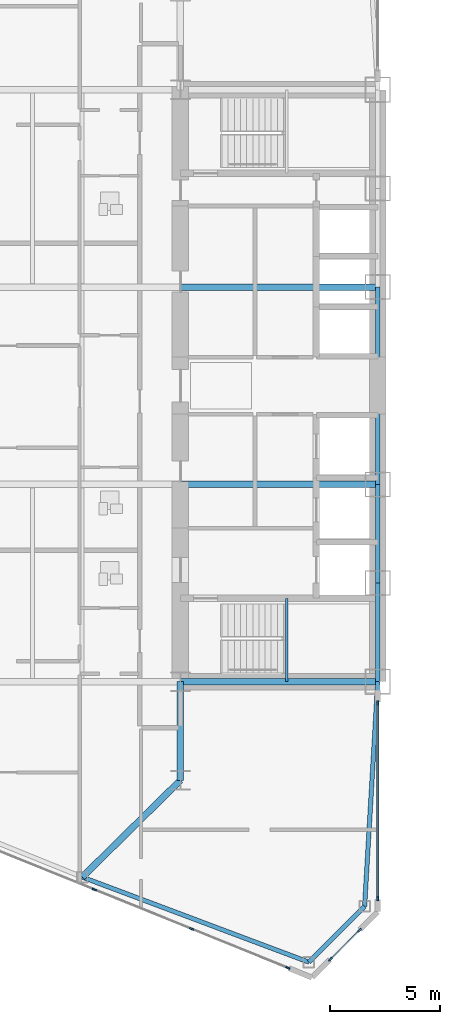
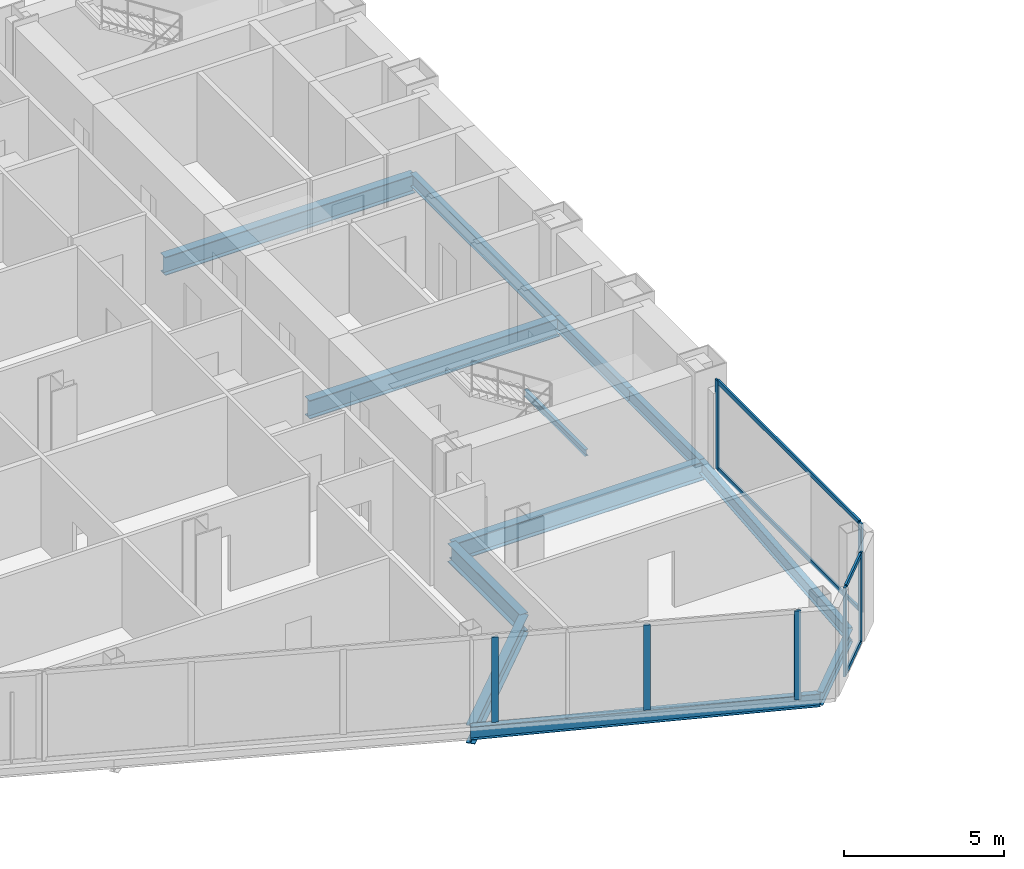
# One storey, part 5 of 25: 12 beams, 11 members, 3 elements without a shape of their own.
"""IFC4 building model written with IfcOpenShell, lengths in metres."""

from ifc_helpers import new_model, si_unit, direction, frame, origin, origin_2d, place, context, subcontext, project, spatial, rectangle, i_section, extrude, source, transform, mapped, material, layer, layer_set, material_profile, profile_set, type_object, type_shapes, element, aggregate, save


model = new_model("IFC4")

# Units and contexts
model_context = context("Model", 3, precision=1e-05, world=origin(), true_north=direction((0.0, 1.0)))
body_context = subcontext(model_context, "Body", "Model", "MODEL_VIEW")
ifc_project = project(units=[si_unit("LENGTHUNIT", "METRE"), si_unit("AREAUNIT", "SQUARE_METRE"), si_unit("VOLUMEUNIT", "CUBIC_METRE"), si_unit("PLANEANGLEUNIT", "RADIAN"), si_unit("MASSUNIT", "GRAM", prefix="KILO")], contexts=[model_context])

# Site, building, storey
site_placement = place(None, origin())
site = spatial("IfcSite", under=ifc_project, at=site_placement, CompositionType="ELEMENT")
building_placement = place(site_placement, origin())
building = spatial("IfcBuilding", under=site, at=building_placement, Name="Seokmaru Belvedere", CompositionType="ELEMENT")
storey_placement = place(building_placement, frame((0.0, 0.0, 22.5)))
storey = spatial("IfcBuildingStorey", under=building, at=storey_placement, Name="L05", CompositionType="ELEMENT", Elevation=22.5)

# Beams
ifc_material_1 = material(Name="Steel SM355 (355 MPa)", Category="steel")
ifc_material_profile_1 = material_profile(ifc_material_1, i_section(OverallWidth=0.199951171875, OverallDepth=0.5, WebThickness=0.010009765625, FlangeThickness=0.01611328125, at=origin_2d()), Name="H-500x200x10x16")
ifc_profile_set_1 = profile_set([ifc_material_profile_1], Name="Steel SM355 (355 MPa)")
beam_type_1 = type_object("IfcBeamType", Name="Perimeter Spandrel Beam H-500", PredefinedType="SPANDREL", material=ifc_profile_set_1)
shared_shape_1 = source(origin(), body_context, "Body", "SweptSolid", [
    extrude(i_section(OverallWidth=0.199951171875, OverallDepth=0.5, WebThickness=0.010009765625, FlangeThickness=0.01611328125, at=origin_2d()), origin(), (0.0, 0.0, 1.0), 4.5),
])
for number, where, z_axis, x_axis, name in (
    (1, (-27.5, -13.5, -0.469970703125), (0.0, 1.0, 0.0), (-1.0, 0.0, 0.0), "L05 W Portal Spine Spandrel 1"),
    (2, (-27.5, -9.0, -0.469970703125), (0.0, 1.0, 0.0), (-1.0, 0.0, 0.0), "L05 W Portal Spine Spandrel 2"),
):
    element("IfcBeam", number, at=place(storey_placement, frame(where, z_axis=z_axis, x_axis=x_axis)), inside=storey, type_object=beam_type_1, Name=name, PredefinedType="SPANDREL", context=body_context, shape_type="MappedRepresentation", body=[
        mapped(shared_shape_1, transform((0.0, 0.0, 0.0), scale=1.0)),
    ])
shared_shape_2 = source(origin(), body_context, "Body", "SweptSolid", [
    extrude(i_section(OverallWidth=0.199951171875, OverallDepth=0.5, WebThickness=0.010009765625, FlangeThickness=0.01611328125, at=origin_2d()), origin(), (0.0, 0.0, 1.0), 9.0),
])
beam_1_placement = place(storey_placement, frame((-27.5, -4.5, -0.469970703125), z_axis=(0.0, 1.0, 0.0), x_axis=(-1.0, 0.0, 0.0)))
element("IfcBeam", 3, at=beam_1_placement, inside=storey, type_object=beam_type_1, Name="L05 W Portal Spine Spandrel 3", PredefinedType="SPANDREL", context=body_context, shape_type="MappedRepresentation", body=[
    mapped(shared_shape_2, transform((0.0, 0.0, 0.0), scale=1.0)),
])
ifc_material_profile_2 = material_profile(ifc_material_1, i_section(OverallWidth=0.300048828125, OverallDepth=0.699951171875, WebThickness=0.012939453125, FlangeThickness=0.02392578125, at=origin_2d()), Name="H-700x300x13x24")
ifc_profile_set_2 = profile_set([ifc_material_profile_2], Name="Steel SM355 (355 MPa)")
beam_type_2 = type_object("IfcBeamType", Name="Primary Floor Girder H-700", PredefinedType="BEAM", material=ifc_profile_set_2)
shared_shape_3 = source(origin(), body_context, "Body", "SweptSolid", [
    extrude(i_section(OverallWidth=0.300048828125, OverallDepth=0.699951171875, WebThickness=0.012939453125, FlangeThickness=0.02392578125, at=origin_2d()), origin(), (0.0, 0.0, 1.0), 4.5),
])
beam_2_placement = place(storey_placement, frame((-36.5, -18.0, -0.570068359375), z_axis=(0.0, 1.0, 0.0), x_axis=(-1.0, 0.0, 0.0)))
element("IfcBeam", 4, at=beam_2_placement, inside=storey, type_object=beam_type_2, Name="L05 W Core Shoulder Girder S", PredefinedType="BEAM", context=body_context, shape_type="MappedRepresentation", body=[
    mapped(shared_shape_3, transform((0.0, 0.0, 0.0), scale=1.0)),
])
shared_shape_4 = source(origin(), body_context, "Body", "SweptSolid", [
    extrude(i_section(OverallWidth=0.300048828125, OverallDepth=0.699951171875, WebThickness=0.012939453125, FlangeThickness=0.02392578125, at=origin_2d()), origin(), (0.0, 0.0, 1.0), 9.0),
])
for number, where, z_axis, x_axis, name in (
    (5, (-36.5, -13.5, -0.570068359375), (1.0, 0.0, 0.0), (0.0, 1.0, 0.0), "L05 W Core Tie Girder 1"),
    (6, (-36.5, -4.5, -0.570068359375), (1.0, 0.0, 0.0), (0.0, 1.0, 0.0), "L05 W Core Tie Girder 2"),
    (7, (-36.5, 4.5, -0.570068359375), (1.0, 0.0, 0.0), (0.0, 1.0, 0.0), "L05 W Core Tie Girder 3"),
):
    element("IfcBeam", number, at=place(storey_placement, frame(where, z_axis=z_axis, x_axis=x_axis)), inside=storey, type_object=beam_type_2, Name=name, PredefinedType="BEAM", context=body_context, shape_type="MappedRepresentation", body=[
        mapped(shared_shape_4, transform((0.0, 0.0, 0.0), scale=1.0)),
    ])
shared_shape_5 = source(origin(), body_context, "Body", "SweptSolid", [
    extrude(i_section(OverallWidth=0.199951171875, OverallDepth=0.5, WebThickness=0.010009765625, FlangeThickness=0.01611328125, at=origin_2d()), origin(), (0.0, 0.0, 1.0), 11.03857421875),
])
beam_3_placement = place(storey_placement, frame((-30.643310546875, -26.294677734375, -0.469970703125), z_axis=(-0.936169110734, 0.351549990907, 0.0), x_axis=(-0.351549990907, -0.936169110734, 0.0)))
element("IfcBeam", 8, at=beam_3_placement, inside=storey, type_object=beam_type_1, Name="L05 W Faceted Flank Spandrel S-1", PredefinedType="SPANDREL", context=body_context, shape_type="MappedRepresentation", body=[
    mapped(shared_shape_5, transform((0.0, 0.0, 0.0), scale=1.0)),
])
shared_shape_6 = source(origin(), body_context, "Body", "SweptSolid", [
    extrude(i_section(OverallWidth=0.199951171875, OverallDepth=0.5, WebThickness=0.010009765625, FlangeThickness=0.01611328125, at=origin_2d()), origin(), (0.0, 0.0, 1.0), 3.5966796875),
])
beam_4_placement = place(storey_placement, frame((-30.643310546875, -26.294677734375, -0.469970703125), z_axis=(0.707106781187, 0.707106781187, 0.0), x_axis=(-0.707106781187, 0.707106781187, 0.0)))
element("IfcBeam", 9, at=beam_4_placement, inside=storey, type_object=beam_type_1, Name="L05 W Shoulder Chamfer Spandrel S", PredefinedType="SPANDREL", context=body_context, shape_type="MappedRepresentation", body=[
    mapped(shared_shape_6, transform((0.0, 0.0, 0.0), scale=1.0)),
])
shared_shape_7 = source(origin(), body_context, "Body", "SweptSolid", [
    extrude(i_section(OverallWidth=0.199951171875, OverallDepth=0.5, WebThickness=0.010009765625, FlangeThickness=0.01611328125, at=origin_2d()), origin(), (0.0, 0.0, 1.0), 10.26904296875),
])
type_shapes(beam_type_1, [shared_shape_1, shared_shape_2, shared_shape_5, shared_shape_6, shared_shape_7])
beam_5_placement = place(storey_placement, frame((-28.10009765625, -23.75146484375, -0.469970703125), z_axis=(0.058437709399, 0.998291056817, 0.0), x_axis=(-0.998291056817, 0.058437709399, 0.0)))
element("IfcBeam", 10, at=beam_5_placement, inside=storey, type_object=beam_type_1, Name="L05 W Shoulder Spine Spandrel S", PredefinedType="SPANDREL", context=body_context, shape_type="MappedRepresentation", body=[
    mapped(shared_shape_7, transform((0.0, 0.0, 0.0), scale=1.0)),
])
shared_shape_8 = source(origin(), body_context, "Body", "SweptSolid", [
    extrude(i_section(OverallWidth=0.300048828125, OverallDepth=0.699951171875, WebThickness=0.012939453125, FlangeThickness=0.02392578125, at=origin_2d()), origin(), (0.0, 0.0, 1.0), 6.287353515625),
])
type_shapes(beam_type_2, [shared_shape_3, shared_shape_4, shared_shape_8])
beam_6_placement = place(storey_placement, frame((-40.977294921875, -22.4140625, -0.570068359375), z_axis=(0.712117485263, 0.702060315915, 0.0), x_axis=(-0.702060315915, 0.712117485263, 0.0)))
element("IfcBeam", 11, at=beam_6_placement, inside=storey, type_object=beam_type_2, Name="L05 W Flank Radial Floor Girder S-1", PredefinedType="BEAM", context=body_context, shape_type="MappedRepresentation", body=[
    mapped(shared_shape_8, transform((0.0, 0.0, 0.0), scale=1.0)),
])

# Curtain wall, members
ifc_material_2 = material(Name="Bronze Triple Insulating Glass", Category="glass")
ifc_layer = layer(ifc_material_2, 0.2099609375)
ifc_layer_set = layer_set([ifc_layer], Name="Bronze Triple Insulating Glass")
curtain_wall_type = type_object("IfcCurtainWallType", Name="Low-Rise Faceted Crystal Curtain Wall System CW-2", PredefinedType="NOTDEFINED", material=ifc_layer_set)
curtain_wall_1_placement = place(storey_placement, origin())
curtain_wall_1 = element("IfcCurtainWall", 12, at=curtain_wall_1_placement, inside=storey, type_object=curtain_wall_type, Name="L05 Curtain Wall WSP_1", PredefinedType="NOTDEFINED")
ifc_material_3 = material(Name="Anodised Bronze Aluminium", Category="aluminium")
ifc_material_profile_3 = material_profile(ifc_material_3, rectangle(XDim=0.070068359375, YDim=0.1650390625, at=origin_2d()), Name="CW-T-70x165")
ifc_profile_set_3 = profile_set([ifc_material_profile_3], Name="Anodised Bronze Aluminium")
member_type_1 = type_object("IfcMemberType", Name="Bronze Unitised Transom 70x165", PredefinedType="USERDEFINED", material=ifc_profile_set_3)
shared_shape_9 = source(origin(), body_context, "Body", "SweptSolid", [
    extrude(rectangle(XDim=0.070068359375, YDim=0.1650390625, at=origin_2d()), origin(), (0.0, 0.0, 1.0), 8.85009765625),
])
member_1_placement = place(storey_placement, frame((-27.5, -23.35498046875, 0.034912109375), z_axis=(0.0, 1.0, 0.0), x_axis=(-1.0, 0.0, 0.0)))
member_1 = element("IfcMember", 13, at=member_1_placement, type_object=member_type_1, Name="CW:L05:WSP_1 Continuous Transom 1", ObjectType="TRANSOM", PredefinedType="USERDEFINED", context=body_context, shape_type="MappedRepresentation", body=[
    mapped(shared_shape_9, transform((0.0, 0.0, 0.0), scale=1.0)),
])
member_2_placement = place(storey_placement, frame((-27.5, -23.35498046875, 3.344970703125), z_axis=(0.0, 1.0, 0.0), x_axis=(-1.0, 0.0, 0.0)))
member_2 = element("IfcMember", 14, at=member_2_placement, type_object=member_type_1, Name="CW:L05:WSP_1 Continuous Transom 2", ObjectType="TRANSOM", PredefinedType="USERDEFINED", context=body_context, shape_type="MappedRepresentation", body=[
    mapped(shared_shape_9, transform((0.0, 0.0, 0.0), scale=1.0)),
])

curtain_wall_2_placement = place(storey_placement, origin())
curtain_wall_2 = element("IfcCurtainWall", 15, at=curtain_wall_2_placement, inside=storey, type_object=curtain_wall_type, Name="L05 Curtain Wall WF6", PredefinedType="NOTDEFINED")
shared_shape_10 = source(origin(), body_context, "Body", "SweptSolid", [
    extrude(rectangle(XDim=0.070068359375, YDim=0.1650390625, at=origin_2d()), origin(), (0.0, 0.0, 1.0), 1.792724609375),
])
type_shapes(member_type_1, [shared_shape_9, shared_shape_10])
member_3_placement = place(storey_placement, frame((-29.6337890625, -26.1337890625, 0.034912109375), z_axis=(0.707106781187, 0.707106781187, 0.0), x_axis=(-0.707106781187, 0.707106781187, 0.0)))
member_3 = element("IfcMember", 16, at=member_3_placement, type_object=member_type_1, Name="CW:L05:WF6 Continuous Transom 1", ObjectType="TRANSOM", PredefinedType="USERDEFINED", context=body_context, shape_type="MappedRepresentation", body=[
    mapped(shared_shape_10, transform((0.0, 0.0, 0.0), scale=1.0)),
])
member_4_placement = place(storey_placement, frame((-29.6337890625, -26.1337890625, 3.344970703125), z_axis=(0.707106781187, 0.707106781187, 0.0), x_axis=(-0.707106781187, 0.707106781187, 0.0)))
member_4 = element("IfcMember", 17, at=member_4_placement, type_object=member_type_1, Name="CW:L05:WF6 Continuous Transom 2", ObjectType="TRANSOM", PredefinedType="USERDEFINED", context=body_context, shape_type="MappedRepresentation", body=[
    mapped(shared_shape_10, transform((0.0, 0.0, 0.0), scale=1.0)),
])

curtain_wall_3_placement = place(storey_placement, origin())
curtain_wall_3 = element("IfcCurtainWall", 18, at=curtain_wall_3_placement, inside=storey, type_object=curtain_wall_type, Name="L05 Curtain Wall WF5", PredefinedType="NOTDEFINED")
ifc_material_profile_4 = material_profile(ifc_material_3, rectangle(XDim=0.074951171875, YDim=0.2099609375, at=origin_2d()), Name="CW-M-75x210")
ifc_profile_set_4 = profile_set([ifc_material_profile_4], Name="Anodised Bronze Aluminium")
member_type_2 = type_object("IfcMemberType", Name="Bronze Unitised Mullion 75x210", PredefinedType="MULLION", material=ifc_profile_set_4)
shared_shape_11 = source(origin(), body_context, "Body", "SweptSolid", [
    extrude(rectangle(XDim=0.074951171875, YDim=0.2099609375, at=origin_2d()), origin(), (0.0, 0.0, 1.0), 3.239990234375),
])
member_5_placement = place(storey_placement, frame((-40.425537109375, -22.982421875, 0.070068359375), z_axis=(0.0, 0.0, 1.0), x_axis=(0.375192321888, 0.926946989637, 0.0)))
member_5 = element("IfcMember", 19, at=member_5_placement, type_object=member_type_2, Name="CW:L05:WF5 Mullion 8", PredefinedType="MULLION", context=body_context, shape_type="MappedRepresentation", body=[
    mapped(shared_shape_11, transform((0.0, 0.0, 0.0), scale=1.0)),
])
member_6_placement = place(storey_placement, frame((-35.995849609375, -24.775390625, 0.070068359375), z_axis=(0.0, 0.0, 1.0), x_axis=(0.375192321888, 0.926946989637, 0.0)))
member_6 = element("IfcMember", 20, at=member_6_placement, type_object=member_type_2, Name="CW:L05:WF5 Mullion 9", PredefinedType="MULLION", context=body_context, shape_type="MappedRepresentation", body=[
    mapped(shared_shape_11, transform((0.0, 0.0, 0.0), scale=1.0)),
])

# Member
shared_shape_12 = source(origin(), body_context, "Body", "SweptSolid", [
    extrude(rectangle(XDim=0.074951171875, YDim=0.2099609375, at=origin_2d()), origin(), (0.0, 0.0, 1.0), 3.3798828125),
])
type_shapes(member_type_2, [shared_shape_11, shared_shape_12])
member_7_placement = place(storey_placement, frame((-27.5, -23.392578125, 0.0), z_axis=(0.0, 0.0, 1.0), x_axis=(-1.0, 0.0, 0.0)))
member_7 = element("IfcMember", 21, at=member_7_placement, type_object=member_type_2, Name="CW:L05:WSP_1 Mullion 1", PredefinedType="MULLION", context=body_context, shape_type="MappedRepresentation", body=[
    mapped(shared_shape_12, transform((0.0, 0.0, 0.0), scale=1.0)),
])

member_8_placement = place(storey_placement, frame((-27.5, -14.467529296875, 0.0), z_axis=(0.0, 0.0, 1.0), x_axis=(-1.0, 0.0, 0.0)))
member_8 = element("IfcMember", 22, at=member_8_placement, type_object=member_type_2, Name="CW:L05:WSP_1 Mullion 2", PredefinedType="MULLION", context=body_context, shape_type="MappedRepresentation", body=[
    mapped(shared_shape_12, transform((0.0, 0.0, 0.0), scale=1.0)),
])

aggregate(curtain_wall_1, [member_7, member_8, member_1, member_2])

member_9_placement = place(storey_placement, frame((-31.600830078125, -26.554443359375, 0.0), z_axis=(0.0, 0.0, 1.0), x_axis=(0.375192321888, 0.926946989637, 0.0)))
member_9 = element("IfcMember", 23, at=member_9_placement, type_object=member_type_2, Name="CW:L05:WF5 Mullion 10", PredefinedType="MULLION", context=body_context, shape_type="MappedRepresentation", body=[
    mapped(shared_shape_12, transform((0.0, 0.0, 0.0), scale=1.0)),
])

aggregate(curtain_wall_3, [member_5, member_6, member_9])

member_10_placement = place(storey_placement, frame((-29.660400390625, -26.160400390625, 0.0), z_axis=(0.0, 0.0, 1.0), x_axis=(-0.707106781187, 0.707106781187, 0.0)))
member_10 = element("IfcMember", 24, at=member_10_placement, type_object=member_type_2, Name="CW:L05:WF6 Mullion 1", PredefinedType="MULLION", context=body_context, shape_type="MappedRepresentation", body=[
    mapped(shared_shape_12, transform((0.0, 0.0, 0.0), scale=1.0)),
])

member_11_placement = place(storey_placement, frame((-28.339599609375, -24.839599609375, 0.0), z_axis=(0.0, 0.0, 1.0), x_axis=(-0.707106781187, 0.707106781187, 0.0)))
member_11 = element("IfcMember", 25, at=member_11_placement, type_object=member_type_2, Name="CW:L05:WF6 Mullion 2", PredefinedType="MULLION", context=body_context, shape_type="MappedRepresentation", body=[
    mapped(shared_shape_12, transform((0.0, 0.0, 0.0), scale=1.0)),
])

aggregate(curtain_wall_2, [member_10, member_11, member_3, member_4])

# Beam
ifc_material_profile_5 = material_profile(ifc_material_1, i_section(OverallWidth=0.125, OverallDepth=0.25, WebThickness=0.006103515625, FlangeThickness=0.009033203125, at=origin_2d()), Name="H-250x125x6x9")
ifc_profile_set_5 = profile_set([ifc_material_profile_5], Name="Steel SM355 (355 MPa)")
beam_type_3 = type_object("IfcBeamType", Name="Stair Mid-Landing Support Beam H-250", PredefinedType="JOIST", material=ifc_profile_set_5)
shared_shape_13 = source(origin(), body_context, "Body", "SweptSolid", [
    extrude(i_section(OverallWidth=0.125, OverallDepth=0.25, WebThickness=0.006103515625, FlangeThickness=0.009033203125, at=origin_2d()), origin(), (0.0, 0.0, 1.0), 3.800048828125),
])
type_shapes(beam_type_3, [shared_shape_13])
beam_7_placement = place(storey_placement, frame((-31.64990234375, -13.5, 1.47509765625), z_axis=(0.0, 1.0, 0.0), x_axis=(-1.0, 0.0, 0.0)))
element("IfcBeam", 26, at=beam_7_placement, inside=storey, type_object=beam_type_3, Name="L05 Stair ST-W1 Mid-Landing Support Beam 1", PredefinedType="JOIST", context=body_context, shape_type="MappedRepresentation", body=[
    mapped(shared_shape_13, transform((0.0, 0.0, 0.0), scale=1.0)),
])

save(model, "model.ifc")
